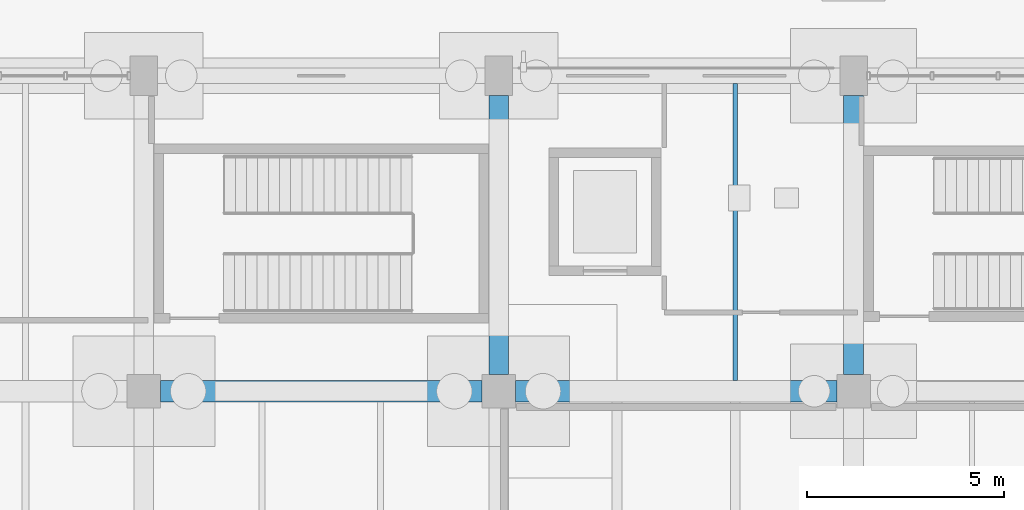
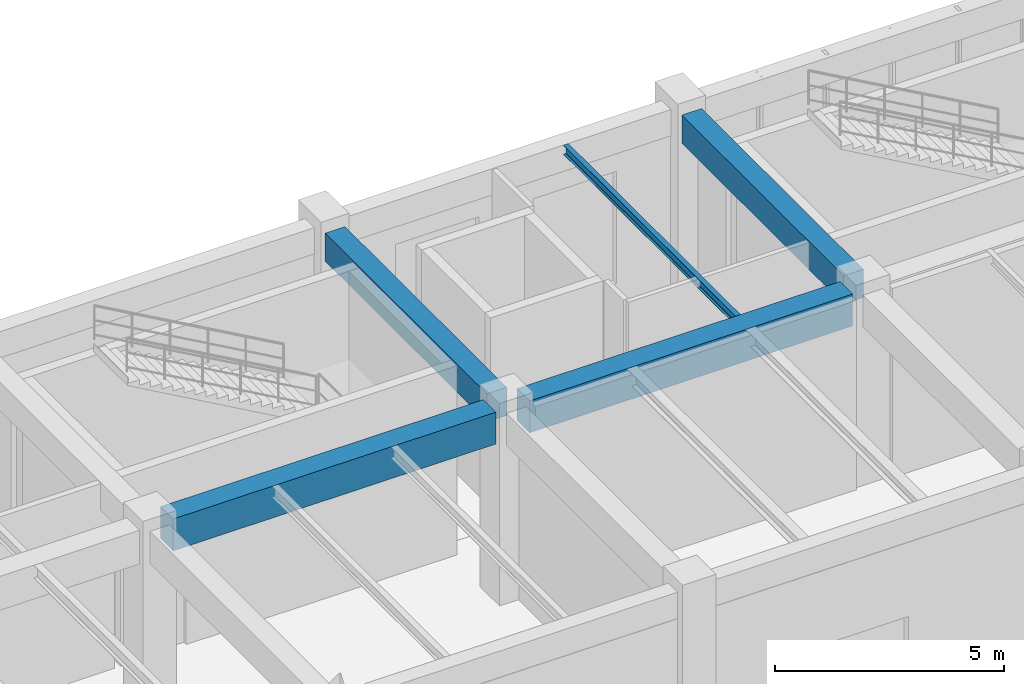
# One storey, part 36 of 121: 5 beams.
"""IFC4 building model written with IfcOpenShell, lengths in metres."""

from ifc_helpers import new_model, si_unit, derived_unit, direction, frame, origin, origin_2d, place, context, subcontext, project, spatial, rectangle, i_section, extrude, material, material_profile, profile_set, type_object, element, save


model = new_model("IFC4")

# Units and contexts
model_context = context("Model", 3, precision=1e-05, world=origin(), true_north=direction((0.0, 1.0)))
body_context = subcontext(model_context, "Body", "Model", "MODEL_VIEW")
ifc_project = project(units=[si_unit("LENGTHUNIT", "METRE"), si_unit("AREAUNIT", "SQUARE_METRE"), si_unit("VOLUMEUNIT", "CUBIC_METRE"), si_unit("PLANEANGLEUNIT", "RADIAN"), si_unit("MASSUNIT", "GRAM", prefix="KILO"), derived_unit("THERMALTRANSMITTANCEUNIT", [(si_unit("MASSUNIT", "GRAM", prefix="KILO"), 1), (si_unit("TIMEUNIT", "SECOND"), -3), (si_unit("THERMODYNAMICTEMPERATUREUNIT", "KELVIN"), -1)])], contexts=[model_context])

# Site, building, storey
site_placement = place(None, origin())
site = spatial("IfcSite", under=ifc_project, at=site_placement, CompositionType="ELEMENT")
building_placement = place(site_placement, origin())
building = spatial("IfcBuilding", under=site, at=building_placement, Name="Zhenchuan Archway Interchange", CompositionType="ELEMENT")
storey_placement = place(building_placement, origin())
storey = spatial("IfcBuildingStorey", under=building, at=storey_placement, Name="L00", CompositionType="ELEMENT", Elevation=0.0)

# Beams
ifc_material_1 = material(Name="Concrete C40", Category="concrete")
ifc_material_profile_1 = material_profile(ifc_material_1, rectangle(XDim=0.5, YDim=0.75, at=origin_2d()), Name="RC 500x750")
ifc_profile_set_1 = profile_set([ifc_material_profile_1], Name="Concrete C40")
beam_type_1 = type_object("IfcBeamType", Name="BM_RC_500x750", PredefinedType="BEAM", material=ifc_profile_set_1)
for number, where, z_axis, x_axis, name in (
    (1, (18.0, 104.425048828125, 4.705078125), (0.0, 1.0, 0.0), (-1.0, 0.0, 0.0), "Beam 3:O-P (L00)"),
    (2, (27.0, 104.425048828125, 4.705078125), (0.0, 1.0, 0.0), (-1.0, 0.0, 0.0), "Beam 4:O-P (L00)"),
):
    element("IfcBeam", number, at=place(storey_placement, frame(where, z_axis=z_axis, x_axis=x_axis)), inside=storey, type_object=beam_type_1, Name=name, PredefinedType="BEAM", context=body_context, shape_type="SweptSolid", body=[
        extrude(rectangle(XDim=0.5, YDim=0.75, at=origin_2d()), origin(), (0.0, 0.0, 1.0), 7.074951171875),
    ])
ifc_material_profile_2 = material_profile(ifc_material_1, rectangle(XDim=0.550048828125, YDim=0.85009765625, at=origin_2d()), Name="RC 550x850")
ifc_profile_set_2 = profile_set([ifc_material_profile_2], Name="Concrete C40")
beam_type_2 = type_object("IfcBeamType", Name="BM_RC_550x850", PredefinedType="BEAM", material=ifc_profile_set_2)
for number, where, z_axis, x_axis, name in (
    (3, (9.425048828125, 104.0, 4.655029296875), (1.0, 0.0, 0.0), (0.0, 1.0, 0.0), "Beam O:2-3 (L00)"),
    (4, (18.425048828125, 104.0, 4.655029296875), (1.0, 0.0, 0.0), (0.0, 1.0, 0.0), "Beam O:3-4 (L00)"),
):
    element("IfcBeam", number, at=place(storey_placement, frame(where, z_axis=z_axis, x_axis=x_axis)), inside=storey, type_object=beam_type_2, Name=name, PredefinedType="BEAM", context=body_context, shape_type="SweptSolid", body=[
        extrude(rectangle(XDim=0.550048828125, YDim=0.85009765625, at=origin_2d()), origin(), (0.0, 0.0, 1.0), 8.14990234375),
    ])
ifc_material_2 = material(Name="Steel Q355", Category="steel")
ifc_material_profile_3 = material_profile(ifc_material_2, i_section(OverallWidth=0.125, OverallDepth=0.25, WebThickness=0.006103515625, FlangeThickness=0.009033203125, FilletRadius=0.011962890625, at=origin_2d()), Name="HN 250x125")
ifc_profile_set_3 = profile_set([ifc_material_profile_3], Name="Steel Q355")
beam_type_3 = type_object("IfcBeamType", Name="JST_STL_HN250", PredefinedType="JOIST", material=ifc_profile_set_3)
beam_placement = place(storey_placement, frame((24.0, 104.27490234375, 4.955078125), z_axis=(0.0, 1.0, 0.0), x_axis=(-1.0, 0.0, 0.0)))
element("IfcBeam", 5, at=beam_placement, inside=storey, type_object=beam_type_3, Name="Secondary joist 3-4/O-P #2 (L00)", PredefinedType="JOIST", context=body_context, shape_type="SweptSolid", body=[
    extrude(i_section(OverallWidth=0.125, OverallDepth=0.25, WebThickness=0.006103515625, FlangeThickness=0.009033203125, FilletRadius=0.011962890625, at=origin_2d()), origin(), (0.0, 0.0, 1.0), 7.525146484375),
])

save(model, "model.ifc")
